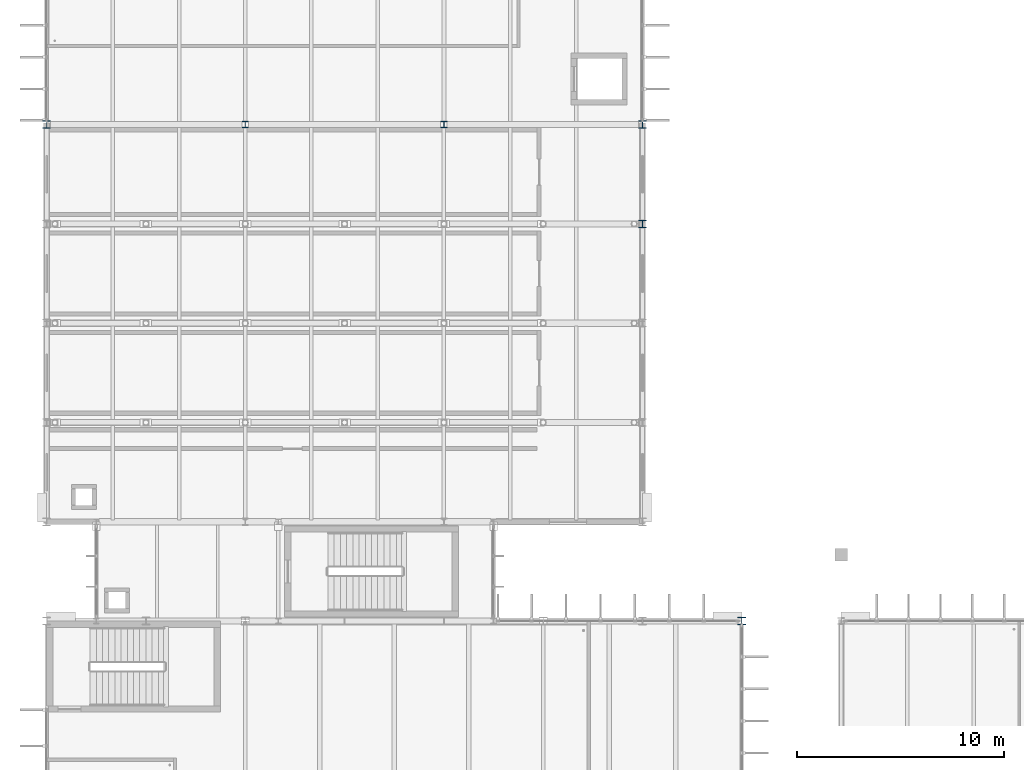
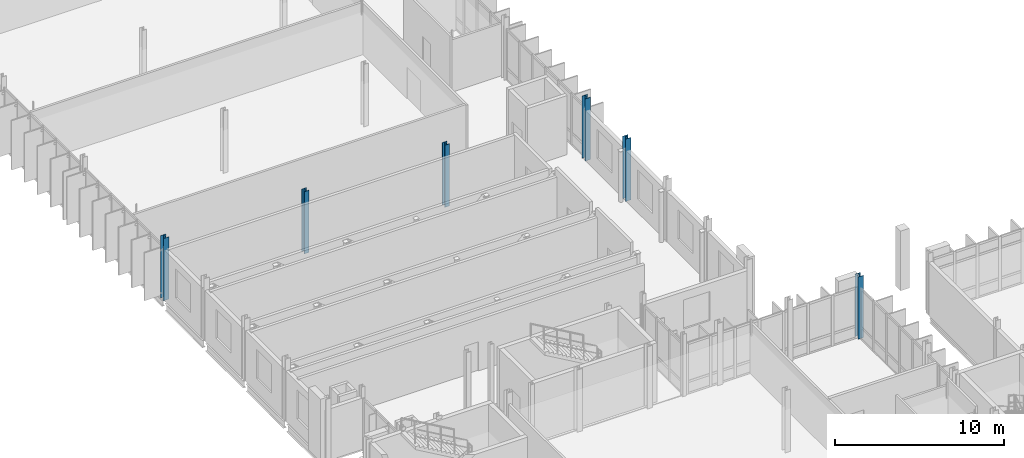
# One storey, part 4 of 110: 6 columns.
"""IFC4 building model written with IfcOpenShell, lengths in metres."""

from ifc_helpers import new_model, si_unit, direction, frame, origin, origin_2d, place, context, subcontext, project, spatial, i_section, extrude, material, material_profile, profile_set, type_object, element, save


model = new_model("IFC4")

# Units and contexts
model_context = context("Model", 3, precision=1e-05, world=origin(), true_north=direction((0.0, 1.0)))
body_context = subcontext(model_context, "Body", "Model", "MODEL_VIEW")
ifc_project = project(units=[si_unit("LENGTHUNIT", "METRE"), si_unit("AREAUNIT", "SQUARE_METRE"), si_unit("VOLUMEUNIT", "CUBIC_METRE"), si_unit("PLANEANGLEUNIT", "RADIAN"), si_unit("MASSUNIT", "GRAM", prefix="KILO")], contexts=[model_context])

# Site, building, storey
site_placement = place(None, origin())
site = spatial("IfcSite", under=ifc_project, at=site_placement, CompositionType="ELEMENT")
building_placement = place(site_placement, origin())
building = spatial("IfcBuilding", under=site, at=building_placement, Name="Dunescarp Central Library", CompositionType="ELEMENT")
storey_placement = place(building_placement, frame((0.0, 0.0, 9.60009765625)))
storey = spatial("IfcBuildingStorey", under=building, at=storey_placement, Name="L02", CompositionType="ELEMENT", Elevation=9.60009765625)

# Columns
ifc_material = material(Name="Steel S355JR", Category="steel")
ifc_material_profile_1 = material_profile(ifc_material, i_section(OverallWidth=0.311279296875, OverallDepth=0.3271484375, WebThickness=0.015869140625, FlangeThickness=0.02490234375, at=origin_2d()), Name="UC 305x305x158")
ifc_profile_set_1 = profile_set([ifc_material_profile_1], Name="Steel S355JR")
column_type_1 = type_object("IfcColumnType", Name="STR-COL-UC305X158", PredefinedType="COLUMN", material=ifc_profile_set_1)
for number, where, z_axis, x_axis, name in (
    (1, (9.60009765625, 60.800048828125, 0.0), (0.0, 0.0, 1.0), (1.0, 0.0, 0.0), "L02 column V4B-96-608"),
    (2, (19.199951171875, 60.800048828125, 0.0), (0.0, 0.0, 1.0), (1.0, 0.0, 0.0), "L02 column V4B-192-608"),
):
    element("IfcColumn", number, at=place(storey_placement, frame(where, z_axis=z_axis, x_axis=x_axis)), inside=storey, type_object=column_type_1, Name=name, PredefinedType="COLUMN", context=body_context, shape_type="SweptSolid", body=[
        extrude(i_section(OverallWidth=0.311279296875, OverallDepth=0.3271484375, WebThickness=0.015869140625, FlangeThickness=0.02490234375, at=origin_2d()), origin(), (0.0, 0.0, 1.0), 4.5),
    ])
ifc_material_profile_2 = material_profile(ifc_material, i_section(OverallWidth=0.37060546875, OverallDepth=0.362060546875, WebThickness=0.01220703125, FlangeThickness=0.020751953125, at=origin_2d()), Name="UC 356x368x153")
ifc_profile_set_2 = profile_set([ifc_material_profile_2], Name="Steel S355JR")
column_type_2 = type_object("IfcColumnType", Name="STR-COL-UC356X153", PredefinedType="COLUMN", material=ifc_profile_set_2)
for number, where, z_axis, x_axis, name in (
    (3, (33.60009765625, 36.800048828125, 0.0), (0.0, 0.0, 1.0), (1.0, 0.0, 0.0), "L02 column V1P-336-368"),
    (4, (0.0, 60.800048828125, 0.0), (0.0, 0.0, 1.0), (1.0, 0.0, 0.0), "L02 column V4A-0-608"),
    (5, (28.800048828125, 56.0, 0.0), (0.0, 0.0, 1.0), (1.0, 0.0, 0.0), "L02 column V4A-288-560"),
    (6, (28.800048828125, 60.800048828125, 0.0), (0.0, 0.0, 1.0), (1.0, 0.0, 0.0), "L02 column V4A-288-608"),
):
    element("IfcColumn", number, at=place(storey_placement, frame(where, z_axis=z_axis, x_axis=x_axis)), inside=storey, type_object=column_type_2, Name=name, PredefinedType="COLUMN", context=body_context, shape_type="SweptSolid", body=[
        extrude(i_section(OverallWidth=0.37060546875, OverallDepth=0.362060546875, WebThickness=0.01220703125, FlangeThickness=0.020751953125, at=origin_2d()), origin(), (0.0, 0.0, 1.0), 4.5),
    ])

save(model, "model.ifc")
